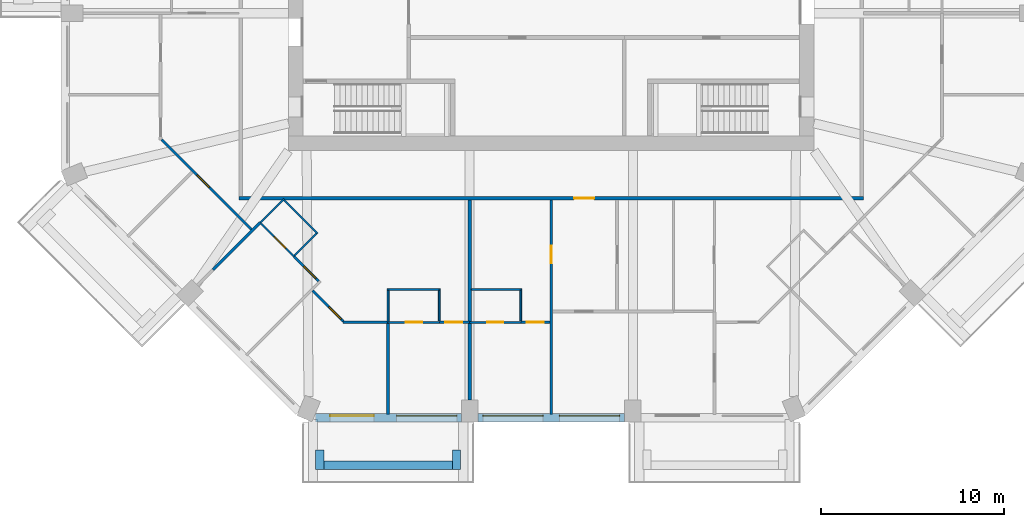
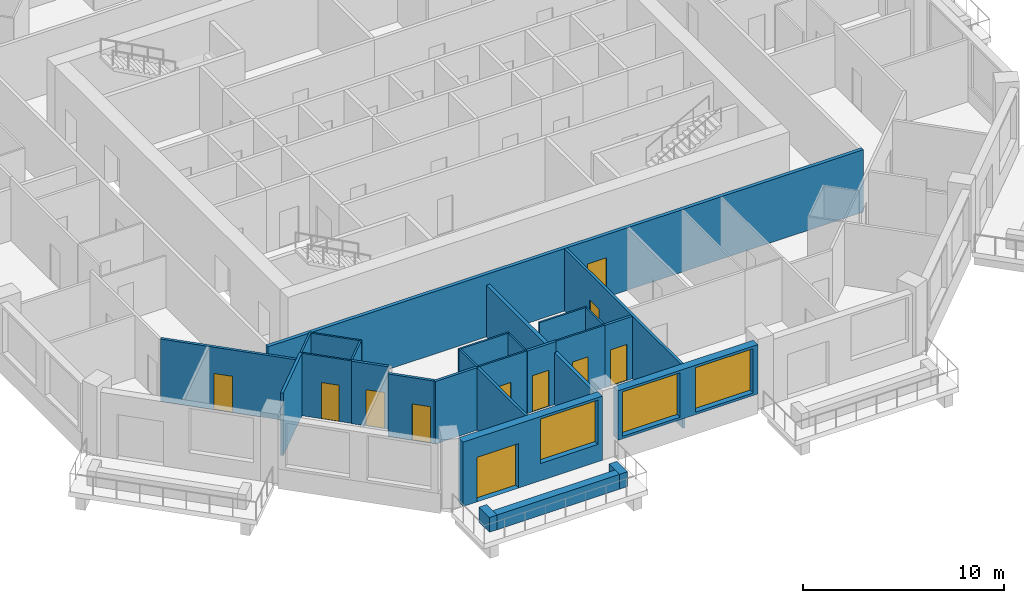
# One storey, part 3 of 13: 27 walls, 11 doors, 3 windows, 14 openings.
"""IFC4 building model written with IfcOpenShell, lengths in metres."""

from ifc_helpers import new_model, si_unit, direction, frame, frame_2d, origin, place, context, subcontext, project, spatial, rectangle, extrude, material, layer, layer_set, type_object, element, fill, save


model = new_model("IFC4")

# Units and contexts
model_context = context("Model", 3, precision=1e-05, world=origin(), true_north=direction((0.0, 1.0)))
body_context = subcontext(model_context, "Body", "Model", "MODEL_VIEW")
ifc_project = project(units=[si_unit("LENGTHUNIT", "METRE"), si_unit("AREAUNIT", "SQUARE_METRE"), si_unit("VOLUMEUNIT", "CUBIC_METRE"), si_unit("PLANEANGLEUNIT", "RADIAN"), si_unit("MASSUNIT", "GRAM", prefix="KILO")], contexts=[model_context])

# Site, building, storey
site_placement = place(None, origin())
site = spatial("IfcSite", under=ifc_project, at=site_placement, CompositionType="ELEMENT")
building_placement = place(site_placement, origin())
building = spatial("IfcBuilding", under=site, at=building_placement, Name="Msitu Wima Residences", CompositionType="ELEMENT")
storey_placement = place(building_placement, frame((0.0, 0.0, 152.699951171875)))
storey = spatial("IfcBuildingStorey", under=building, at=storey_placement, Name="L35", CompositionType="ELEMENT", Elevation=152.699951171875)

# Walls
ifc_material_1 = material(Name="Facing brick")
ifc_layer_1 = layer(ifc_material_1, 0.06494140625, Name="Facing brick")
ifc_material_2 = material(Name="Concrete C40/50", Category="concrete")
ifc_layer_2 = layer(ifc_material_2, 0.156005859375, Name="Concrete C40/50")
ifc_material_3 = material(Name="Waterproofing membrane")
ifc_layer_3 = layer(ifc_material_3, 0.00390625, Name="Waterproofing membrane")
ifc_material_4 = material(Name="Planting soil and planting")
ifc_layer_4 = layer(ifc_material_4, 0.22509765625, Name="Planting soil and planting")
ifc_layer_set_1 = layer_set([ifc_layer_1, ifc_layer_2, ifc_layer_3, ifc_layer_4], Name="Concrete C40/50")
wall_type_1 = type_object("IfcWallType", Name="Balcony planter PLANTER PL450", PredefinedType="USERDEFINED", material=ifc_layer_set_1)
wall_1_placement = place(storey_placement, frame((-12.455810546875, -29.22509765625, 0.0), z_axis=(0.0, 0.0, 1.0), x_axis=(1.0, 0.0, 0.0)))
element("IfcWall", 1, at=wall_1_placement, inside=storey, type_object=wall_type_1, Name="Balcony planter S0 L35", ObjectType="PLANTER", PredefinedType="USERDEFINED", context=body_context, shape_type="SweptSolid", body=[
    extrude(rectangle(XDim=7.037109375, YDim=0.449951171875, at=frame_2d((3.5185546875, 0.0))), origin(), (0.0, 0.0, 1.0), 0.900146484375),
])
for number, where, z_axis, x_axis, name in (
    (2, (-12.680908203125, -28.39990234375, 0.0), (0.0, 0.0, 1.0), (0.0, -1.0, 0.0), "Balcony planter S0 L35"),
    (3, (-5.193603515625, -28.39990234375, 0.0), (0.0, 0.0, 1.0), (0.0, -1.0, 0.0), "Balcony planter S0 L35"),
):
    element("IfcWall", number, at=place(storey_placement, frame(where, z_axis=z_axis, x_axis=x_axis)), inside=storey, type_object=wall_type_1, Name=name, ObjectType="PLANTER", PredefinedType="USERDEFINED", context=body_context, shape_type="SweptSolid", body=[
        extrude(rectangle(XDim=1.050048828125, YDim=0.449951171875, at=frame_2d((0.52490234375, 0.0))), origin(), (0.0, 0.0, 1.0), 0.900146484375),
    ])

# Wall, openings, door, window
ifc_material_5 = material(Name="Brick (red buff mix)", Category="masonry")
ifc_layer_5 = layer(ifc_material_5, 0.449951171875)
ifc_layer_set_2 = layer_set([ifc_layer_5], Name="Brick (red buff mix)")
wall_type_2 = type_object("IfcWallType", Name="Brick infill wall BW450", PredefinedType="SOLIDWALL", material=ifc_layer_set_2)
wall_2_placement = place(storey_placement, frame((-12.918701171875, -26.625, 0.0), z_axis=(0.0, 0.0, 1.0), x_axis=(1.0, 0.0, 0.0)))
wall_2 = element("IfcWall", 4, at=wall_2_placement, inside=storey, type_object=wall_type_2, Name="Brick infill wall L35 S0", PredefinedType="SOLIDWALL", context=body_context, shape_type="SweptSolid", body=[
    extrude(rectangle(XDim=8.0, YDim=0.449951171875, at=frame_2d((4.0, 0.0))), origin(), (0.0, 0.0, 1.0), 3.900146484375),
])
opening_1_placement = place(wall_2_placement, frame((0.800048828125, 0.0, 0.0)))
opening_1 = element("IfcOpeningElement", 5, at=opening_1_placement, cuts=wall_2, Name="Opening D34-35.006", PredefinedType="OPENING", context=body_context, shape_type="SweptSolid", body=[
    extrude(rectangle(XDim=2.39990234375, YDim=2.699951171875, at=frame_2d((1.199951171875, 1.35009765625))), frame((0.0, 0.23486328125, 0.0), z_axis=(0.0, -1.0, 0.0), x_axis=(1.0, 0.0, 0.0)), (0.0, 0.0, 1.0), 0.469970703125),
])
opening_2_placement = place(wall_2_placement, frame((4.4501953125, 0.0, 1.050048828125)))
opening_2 = element("IfcOpeningElement", 6, at=opening_2_placement, cuts=wall_2, Name="Opening W34-35.016", PredefinedType="OPENING", context=body_context, shape_type="SweptSolid", body=[
    extrude(rectangle(XDim=3.300048828125, YDim=2.699951171875, at=frame_2d((1.64990234375, 1.35009765625))), frame((0.0, 0.23486328125, 0.0), z_axis=(0.0, -1.0, 0.0), x_axis=(1.0, 0.0, 0.0)), (0.0, 0.0, 1.0), 0.469970703125),
])
ifc_material_6 = material(Name="Anodised aluminium, bronze finish, clear low-emissivity double glazing", Category="aluminium")
door_type_1 = type_object("IfcDoorType", Name="Balcony door D2400x2700", OperationType="SLIDING_TO_LEFT", PredefinedType="DOOR", material=ifc_material_6)
door_1_placement = place(opening_1_placement, origin())
door_1 = element("IfcDoor", 7, at=door_1_placement, inside=storey, type_object=door_type_1, Name="Balcony door L35 S0", OperationType="SINGLE_SWING_LEFT", OverallHeight=2.699951171875, OverallWidth=2.39990234375, PredefinedType="DOOR", context=body_context, shape_type="SweptSolid", body=[
    extrude(rectangle(XDim=2.39990234375, YDim=2.699951171875, at=frame_2d((1.199951171875, 1.35009765625))), frame((0.0, 0.1298828125, 0.0), z_axis=(0.0, -1.0, 0.0), x_axis=(1.0, 0.0, 0.0)), (0.0, 0.0, 1.0), 0.050048828125),
])
fill(opening_1, door_1)
window_type = type_object("IfcWindowType", Name="Window W3300x2700", PartitioningType="DOUBLE_PANEL_VERTICAL", PredefinedType="WINDOW", material=ifc_material_6)
window_1_placement = place(opening_2_placement, origin())
window_1 = element("IfcWindow", 8, at=window_1_placement, inside=storey, type_object=window_type, Name="Window L35 S0.2", OverallHeight=2.699951171875, OverallWidth=3.300048828125, PartitioningType="SINGLE_PANEL", PredefinedType="WINDOW", context=body_context, shape_type="SweptSolid", body=[
    extrude(rectangle(XDim=3.300048828125, YDim=2.699951171875, at=frame_2d((1.64990234375, 1.35009765625))), frame((0.0, 0.135009765625, 0.0), z_axis=(0.0, -1.0, 0.0), x_axis=(1.0, 0.0, 0.0)), (0.0, 0.0, 1.0), 0.06005859375),
])
fill(opening_2, window_1)

# Wall, openings, windows
wall_3_placement = place(storey_placement, frame((-4.0185546875, -26.625, 0.900146484375), z_axis=(0.0, 0.0, 1.0), x_axis=(1.0, 0.0, 0.0)))
wall_3 = element("IfcWall", 9, at=wall_3_placement, inside=storey, type_object=wall_type_2, Name="Brick infill wall L35 S1", PredefinedType="SOLIDWALL", context=body_context, shape_type="SweptSolid", body=[
    extrude(rectangle(XDim=8.037109375, YDim=0.449951171875, at=frame_2d((4.0185546875, 0.0))), origin(), (0.0, 0.0, 1.0), 3.0),
])
opening_3_placement = place(wall_3_placement, frame((0.2685546875, 0.0, 0.14990234375)))
opening_3 = element("IfcOpeningElement", 10, at=opening_3_placement, cuts=wall_3, Name="Opening W34-35.017", PredefinedType="OPENING", context=body_context, shape_type="SweptSolid", body=[
    extrude(rectangle(XDim=3.300048828125, YDim=2.699951171875, at=frame_2d((1.64990234375, 1.35009765625))), frame((0.0, 0.23486328125, 0.0), z_axis=(0.0, -1.0, 0.0), x_axis=(1.0, 0.0, 0.0)), (0.0, 0.0, 1.0), 0.469970703125),
])
opening_4_placement = place(wall_3_placement, frame((4.46875, 0.0, 0.14990234375)))
opening_4 = element("IfcOpeningElement", 11, at=opening_4_placement, cuts=wall_3, Name="Opening W34-35.018", PredefinedType="OPENING", context=body_context, shape_type="SweptSolid", body=[
    extrude(rectangle(XDim=3.300048828125, YDim=2.699951171875, at=frame_2d((1.64990234375, 1.35009765625))), frame((0.0, 0.23486328125, 0.0), z_axis=(0.0, -1.0, 0.0), x_axis=(1.0, 0.0, 0.0)), (0.0, 0.0, 1.0), 0.469970703125),
])
window_2_placement = place(opening_3_placement, origin())
window_2 = element("IfcWindow", 12, at=window_2_placement, inside=storey, type_object=window_type, Name="Window L35 S1.1", OverallHeight=2.699951171875, OverallWidth=3.300048828125, PartitioningType="SINGLE_PANEL", PredefinedType="WINDOW", context=body_context, shape_type="SweptSolid", body=[
    extrude(rectangle(XDim=3.300048828125, YDim=2.699951171875, at=frame_2d((1.64990234375, 1.35009765625))), frame((0.0, 0.135009765625, 0.0), z_axis=(0.0, -1.0, 0.0), x_axis=(1.0, 0.0, 0.0)), (0.0, 0.0, 1.0), 0.06005859375),
])
fill(opening_3, window_2)
window_3_placement = place(opening_4_placement, origin())
window_3 = element("IfcWindow", 13, at=window_3_placement, inside=storey, type_object=window_type, Name="Window L35 S1.2", OverallHeight=2.699951171875, OverallWidth=3.300048828125, PartitioningType="SINGLE_PANEL", PredefinedType="WINDOW", context=body_context, shape_type="SweptSolid", body=[
    extrude(rectangle(XDim=3.300048828125, YDim=2.699951171875, at=frame_2d((1.64990234375, 1.35009765625))), frame((0.0, 0.135009765625, 0.0), z_axis=(0.0, -1.0, 0.0), x_axis=(1.0, 0.0, 0.0)), (0.0, 0.0, 1.0), 0.06005859375),
])
fill(opening_4, window_3)

# Wall, opening, door
ifc_material_7 = material(Name="Plaster")
ifc_layer_6 = layer(ifc_material_7, 0.011962890625, Name="Plaster")
ifc_material_8 = material(Name="Concrete blockwork", Category="masonry")
ifc_layer_7 = layer(ifc_material_8, 0.176025390625, Name="Concrete blockwork")
ifc_layer_8 = layer(ifc_material_7, 0.011962890625, Name="Plaster")
ifc_layer_set_3 = layer_set([ifc_layer_6, ifc_layer_7, ifc_layer_8], Name="Concrete blockwork")
wall_type_3 = type_object("IfcWallType", Name="Corridor wall FW200", PredefinedType="PARTITIONING", material=ifc_layer_set_3)
wall_4_placement = place(storey_placement, frame((-17.10009765625, -14.60009765625, 0.0), z_axis=(0.0, 0.0, 1.0), x_axis=(1.0, 0.0, 0.0)))
wall_4 = element("IfcWall", 14, at=wall_4_placement, inside=storey, type_object=wall_type_3, Name="Corridor wall", PredefinedType="PARTITIONING", context=body_context, shape_type="SweptSolid", body=[
    extrude(rectangle(XDim=34.2001953125, YDim=0.199951171875, at=frame_2d((17.10009765625, 0.0))), origin(), (0.0, 0.0, 1.0), 3.798095703125),
])
opening_5_placement = place(wall_4_placement, frame((18.35009765625, 0.0, 0.0)))
opening_5 = element("IfcOpeningElement", 15, at=opening_5_placement, cuts=wall_4, Name="Opening D34-35.014", PredefinedType="OPENING", context=body_context, shape_type="SweptSolid", body=[
    extrude(rectangle(XDim=1.10009765625, YDim=2.39990234375, at=frame_2d((0.550048828125, 1.199951171875))), frame((0.0, 0.10986328125, 0.0), z_axis=(0.0, -1.0, 0.0), x_axis=(1.0, 0.0, 0.0)), (0.0, 0.0, 1.0), 0.219970703125),
])
ifc_material_9 = material(Name="Timber flush door, fire resisting, self-closing", Category="wood")
door_type_2 = type_object("IfcDoorType", Name="Flat entrance door D01 1100x2400", OperationType="SINGLE_SWING_LEFT", PredefinedType="DOOR", material=ifc_material_9)
door_2_placement = place(opening_5_placement, origin())
door_2 = element("IfcDoor", 16, at=door_2_placement, inside=storey, type_object=door_type_2, Name="Flat entrance door", OperationType="SINGLE_SWING_LEFT", OverallHeight=2.39990234375, OverallWidth=1.10009765625, PredefinedType="DOOR", context=body_context, shape_type="SweptSolid", body=[
    extrude(rectangle(XDim=1.10009765625, YDim=2.39990234375, at=frame_2d((0.550048828125, 1.199951171875))), frame((0.0, 0.02490234375, 0.0), z_axis=(0.0, -1.0, 0.0), x_axis=(1.0, 0.0, 0.0)), (0.0, 0.0, 1.0), 0.050048828125),
])
fill(opening_5, door_2)

ifc_layer_9 = layer(ifc_material_7, 0.011962890625, Name="Plaster")
ifc_layer_10 = layer(ifc_material_8, 0.1259765625, Name="Concrete blockwork")
ifc_layer_11 = layer(ifc_material_7, 0.011962890625, Name="Plaster")
ifc_layer_set_4 = layer_set([ifc_layer_9, ifc_layer_10, ifc_layer_11], Name="Concrete blockwork")
wall_type_4 = type_object("IfcWallType", Name="Partition PW150", PredefinedType="PARTITIONING", material=ifc_layer_set_4)
wall_5_placement = place(storey_placement, frame((-21.346923828125, -11.387939453125, 0.0), z_axis=(0.0, 0.0, 1.0), x_axis=(0.707106781187, -0.707106781187, 0.0)))
wall_5 = element("IfcWall", 17, at=wall_5_placement, inside=storey, type_object=wall_type_4, Name="Partition", PredefinedType="PARTITIONING", context=body_context, shape_type="SweptSolid", body=[
    extrude(rectangle(XDim=6.967041015625, YDim=0.14990234375, at=frame_2d((3.4833984375, 0.0))), origin(), (0.0, 0.0, 1.0), 3.798095703125),
])
opening_6_placement = place(wall_5_placement, frame((2.75, 0.0, 0.0)))
opening_6 = element("IfcOpeningElement", 18, at=opening_6_placement, cuts=wall_5, Name="Opening D34-35.064", PredefinedType="OPENING", context=body_context, shape_type="SweptSolid", body=[
    extrude(rectangle(XDim=0.949951171875, YDim=2.199951171875, at=frame_2d((0.47509765625, 1.10009765625))), frame((0.0, 0.0849609375, 0.0), z_axis=(0.0, -1.0, 0.0), x_axis=(1.0, 0.0, 0.0)), (0.0, 0.0, 1.0), 0.169921875),
])
ifc_material_10 = material(Name="Timber flush door", Category="wood")
door_type_3 = type_object("IfcDoorType", Name="Room door D12 950x2200", OperationType="SINGLE_SWING_LEFT", PredefinedType="DOOR", material=ifc_material_10)
door_3_placement = place(opening_6_placement, origin())
door_3 = element("IfcDoor", 19, at=door_3_placement, inside=storey, type_object=door_type_3, Name="Room door", OperationType="SINGLE_SWING_RIGHT", OverallHeight=2.199951171875, OverallWidth=0.949951171875, PredefinedType="DOOR", context=body_context, shape_type="SweptSolid", body=[
    extrude(rectangle(XDim=0.949951171875, YDim=2.199951171875, at=frame_2d((0.47509765625, 1.10009765625))), frame((0.0, 0.02490234375, 0.0), z_axis=(0.0, -1.0, 0.0), x_axis=(1.0, 0.0, 0.0)), (0.0, 0.0, 1.0), 0.050048828125),
])
fill(opening_6, door_3)

# Wall
wall_6_placement = place(storey_placement, frame((-18.517578125, -18.517578125, 0.0), z_axis=(0.0, 0.0, 1.0), x_axis=(0.707106781187, 0.707106781187, 0.0)))
element("IfcWall", 20, at=wall_6_placement, inside=storey, type_object=wall_type_4, Name="Partition", PredefinedType="PARTITIONING", context=body_context, shape_type="SweptSolid", body=[
    extrude(rectangle(XDim=3.660888671875, YDim=0.14990234375, at=frame_2d((1.83056640625, 0.0))), origin(), (0.0, 0.0, 1.0), 3.798095703125),
])

# Wall, opening, door
wall_7_placement = place(storey_placement, frame((-14.090576171875, -17.795654296875, 0.0), z_axis=(0.0, 0.0, 1.0), x_axis=(0.707106781187, -0.707106781187, 0.0)))
wall_7 = element("IfcWall", 21, at=wall_7_placement, inside=storey, type_object=wall_type_4, Name="Partition", PredefinedType="PARTITIONING", context=body_context, shape_type="SweptSolid", body=[
    extrude(rectangle(XDim=1.8994140625, YDim=0.14990234375, at=frame_2d((0.94970703125, 0.0))), origin(), (0.0, 0.0, 1.0), 3.798095703125),
])
opening_7_placement = place(wall_7_placement, frame((0.75, 0.0, 0.0)))
opening_7 = element("IfcOpeningElement", 22, at=opening_7_placement, cuts=wall_7, Name="Opening D34-35.067", PredefinedType="OPENING", context=body_context, shape_type="SweptSolid", body=[
    extrude(rectangle(XDim=0.949951171875, YDim=2.199951171875, at=frame_2d((0.47509765625, 1.10009765625))), frame((0.0, 0.0849609375, 0.0), z_axis=(0.0, -1.0, 0.0), x_axis=(1.0, 0.0, 0.0)), (0.0, 0.0, 1.0), 0.169921875),
])
door_4_placement = place(opening_7_placement, origin())
door_4 = element("IfcDoor", 23, at=door_4_placement, inside=storey, type_object=door_type_3, Name="Room door", OperationType="SINGLE_SWING_LEFT", OverallHeight=2.199951171875, OverallWidth=0.949951171875, PredefinedType="DOOR", context=body_context, shape_type="SweptSolid", body=[
    extrude(rectangle(XDim=0.949951171875, YDim=2.199951171875, at=frame_2d((0.47509765625, 1.10009765625))), frame((0.0, 0.02490234375, 0.0), z_axis=(0.0, -1.0, 0.0), x_axis=(1.0, 0.0, 0.0)), (0.0, 0.0, 1.0), 0.050048828125),
])
fill(opening_7, door_4)

wall_8_placement = place(storey_placement, frame((-13.06591796875, -19.6689453125, 0.0), z_axis=(0.0, 0.0, 1.0), x_axis=(0.707106781187, -0.707106781187, 0.0)))
wall_8 = element("IfcWall", 24, at=wall_8_placement, inside=storey, type_object=wall_type_4, Name="Partition", PredefinedType="PARTITIONING", context=body_context, shape_type="SweptSolid", body=[
    extrude(rectangle(XDim=2.373046875, YDim=0.14990234375, at=frame_2d((1.1865234375, 0.0))), origin(), (0.0, 0.0, 1.0), 3.798095703125),
])
opening_8_placement = place(wall_8_placement, frame((1.25, 0.0, 0.0)))
opening_8 = element("IfcOpeningElement", 25, at=opening_8_placement, cuts=wall_8, Name="Opening D34-35.069", PredefinedType="OPENING", context=body_context, shape_type="SweptSolid", body=[
    extrude(rectangle(XDim=0.949951171875, YDim=2.199951171875, at=frame_2d((0.47509765625, 1.10009765625))), frame((0.0, 0.0849609375, 0.0), z_axis=(0.0, -1.0, 0.0), x_axis=(1.0, 0.0, 0.0)), (0.0, 0.0, 1.0), 0.169921875),
])
door_5_placement = place(opening_8_placement, origin())
door_5 = element("IfcDoor", 26, at=door_5_placement, inside=storey, type_object=door_type_3, Name="Room door", OperationType="SINGLE_SWING_RIGHT", OverallHeight=2.199951171875, OverallWidth=0.949951171875, PredefinedType="DOOR", context=body_context, shape_type="SweptSolid", body=[
    extrude(rectangle(XDim=0.949951171875, YDim=2.199951171875, at=frame_2d((0.47509765625, 1.10009765625))), frame((0.0, 0.02490234375, 0.0), z_axis=(0.0, -1.0, 0.0), x_axis=(1.0, 0.0, 0.0)), (0.0, 0.0, 1.0), 0.050048828125),
])
fill(opening_8, door_5)

# Walls
wall_9_placement = place(storey_placement, frame((-11.409912109375, -21.39990234375, 0.0), z_axis=(0.0, 0.0, 1.0), x_axis=(1.0, 0.0, 0.0)))
element("IfcWall", 27, at=wall_9_placement, inside=storey, type_object=wall_type_4, Name="Partition", PredefinedType="PARTITIONING", context=body_context, shape_type="SweptSolid", body=[
    extrude(rectangle(XDim=2.45263671875, YDim=0.14990234375, at=frame_2d((1.226318359375, 0.0))), origin(), (0.0, 0.0, 1.0), 3.798095703125),
])
wall_10_placement = place(storey_placement, frame((-8.937255859375, -26.455078125, 0.0), z_axis=(0.0, 0.0, 1.0), x_axis=(0.0, 1.0, 0.0)))
element("IfcWall", 28, at=wall_10_placement, inside=storey, type_object=wall_type_4, Name="Partition", PredefinedType="PARTITIONING", context=body_context, shape_type="SweptSolid", body=[
    extrude(rectangle(XDim=5.0751953125, YDim=0.14990234375, at=frame_2d((2.53759765625, 0.0))), origin(), (0.0, 0.0, 1.0), 3.798095703125),
])

# Wall, opening, door
wall_11_placement = place(storey_placement, frame((-6.1171875, -21.39990234375, 0.0), z_axis=(0.0, 0.0, 1.0), x_axis=(1.0, 0.0, 0.0)))
wall_11 = element("IfcWall", 29, at=wall_11_placement, inside=storey, type_object=wall_type_4, Name="Partition", PredefinedType="PARTITIONING", context=body_context, shape_type="SweptSolid", body=[
    extrude(rectangle(XDim=1.6484375, YDim=0.14990234375, at=frame_2d((0.82421875, 0.0))), origin(), (0.0, 0.0, 1.0), 3.798095703125),
])
opening_9_placement = place(wall_11_placement, frame((0.300048828125, 0.0, 0.0)))
opening_9 = element("IfcOpeningElement", 30, at=opening_9_placement, cuts=wall_11, Name="Opening D34-35.065", PredefinedType="OPENING", context=body_context, shape_type="SweptSolid", body=[
    extrude(rectangle(XDim=0.949951171875, YDim=2.199951171875, at=frame_2d((0.47509765625, 1.10009765625))), frame((0.0, 0.0849609375, 0.0), z_axis=(0.0, -1.0, 0.0), x_axis=(1.0, 0.0, 0.0)), (0.0, 0.0, 1.0), 0.169921875),
])
door_6_placement = place(opening_9_placement, origin())
door_6 = element("IfcDoor", 31, at=door_6_placement, inside=storey, type_object=door_type_3, Name="Room door", OperationType="SINGLE_SWING_LEFT", OverallHeight=2.199951171875, OverallWidth=0.949951171875, PredefinedType="DOOR", context=body_context, shape_type="SweptSolid", body=[
    extrude(rectangle(XDim=0.949951171875, YDim=2.199951171875, at=frame_2d((0.47509765625, 1.10009765625))), frame((0.0, 0.02490234375, 0.0), z_axis=(0.0, -1.0, 0.0), x_axis=(1.0, 0.0, 0.0)), (0.0, 0.0, 1.0), 0.050048828125),
])
fill(opening_9, door_6)

wall_12_placement = place(storey_placement, frame((-1.648681640625, -21.39990234375, 0.0), z_axis=(0.0, 0.0, 1.0), x_axis=(1.0, 0.0, 0.0)))
wall_12 = element("IfcWall", 32, at=wall_12_placement, inside=storey, type_object=wall_type_4, Name="Partition", PredefinedType="PARTITIONING", context=body_context, shape_type="SweptSolid", body=[
    extrude(rectangle(XDim=1.57373046875, YDim=0.14990234375, at=frame_2d((0.786865234375, 0.0))), origin(), (0.0, 0.0, 1.0), 3.798095703125),
])
opening_10_placement = place(wall_12_placement, frame((0.300048828125, 0.0, 0.0)))
opening_10 = element("IfcOpeningElement", 33, at=opening_10_placement, cuts=wall_12, Name="Opening D34-35.074", PredefinedType="OPENING", context=body_context, shape_type="SweptSolid", body=[
    extrude(rectangle(XDim=0.949951171875, YDim=2.199951171875, at=frame_2d((0.47509765625, 1.10009765625))), frame((0.0, 0.0849609375, 0.0), z_axis=(0.0, -1.0, 0.0), x_axis=(1.0, 0.0, 0.0)), (0.0, 0.0, 1.0), 0.169921875),
])
door_7_placement = place(opening_10_placement, origin())
door_7 = element("IfcDoor", 34, at=door_7_placement, inside=storey, type_object=door_type_3, Name="Room door", OperationType="SINGLE_SWING_LEFT", OverallHeight=2.199951171875, OverallWidth=0.949951171875, PredefinedType="DOOR", context=body_context, shape_type="SweptSolid", body=[
    extrude(rectangle(XDim=0.949951171875, YDim=2.199951171875, at=frame_2d((0.47509765625, 1.10009765625))), frame((0.0, 0.02490234375, 0.0), z_axis=(0.0, -1.0, 0.0), x_axis=(1.0, 0.0, 0.0)), (0.0, 0.0, 1.0), 0.050048828125),
])
fill(opening_10, door_7)

wall_13_placement = place(storey_placement, frame((0.0, -26.455078125, 0.0), z_axis=(0.0, 0.0, 1.0), x_axis=(0.0, 1.0, 0.0)))
wall_13 = element("IfcWall", 35, at=wall_13_placement, inside=storey, type_object=wall_type_4, Name="Partition", PredefinedType="PARTITIONING", context=body_context, shape_type="SweptSolid", body=[
    extrude(rectangle(XDim=11.755126953125, YDim=0.14990234375, at=frame_2d((5.87744140625, 0.0))), origin(), (0.0, 0.0, 1.0), 3.798095703125),
])
opening_11_placement = place(wall_13_placement, frame((8.300048828125, 0.0, 0.0)))
opening_11 = element("IfcOpeningElement", 36, at=opening_11_placement, cuts=wall_13, Name="Opening D34-35.071", PredefinedType="OPENING", context=body_context, shape_type="SweptSolid", body=[
    extrude(rectangle(XDim=0.949951171875, YDim=2.199951171875, at=frame_2d((0.47509765625, 1.10009765625))), frame((0.0, 0.0849609375, 0.0), z_axis=(0.0, -1.0, 0.0), x_axis=(1.0, 0.0, 0.0)), (0.0, 0.0, 1.0), 0.169921875),
])
door_8_placement = place(opening_11_placement, origin())
door_8 = element("IfcDoor", 37, at=door_8_placement, inside=storey, type_object=door_type_3, Name="Room door", OperationType="SINGLE_SWING_RIGHT", OverallHeight=2.199951171875, OverallWidth=0.949951171875, PredefinedType="DOOR", context=body_context, shape_type="SweptSolid", body=[
    extrude(rectangle(XDim=0.949951171875, YDim=2.199951171875, at=frame_2d((0.47509765625, 1.10009765625))), frame((0.0, 0.02490234375, 0.0), z_axis=(0.0, -1.0, 0.0), x_axis=(1.0, 0.0, 0.0)), (0.0, 0.0, 1.0), 0.050048828125),
])
fill(opening_11, door_8)

# Walls
ifc_layer_12 = layer(ifc_material_7, 0.011962890625, Name="Plaster")
ifc_material_11 = material(Name="Dense concrete blockwork", Category="masonry")
ifc_layer_13 = layer(ifc_material_11, 0.176025390625, Name="Dense concrete blockwork")
ifc_layer_14 = layer(ifc_material_7, 0.011962890625, Name="Plaster")
ifc_layer_set_5 = layer_set([ifc_layer_12, ifc_layer_13, ifc_layer_14], Name="Dense concrete blockwork")
wall_type_5 = type_object("IfcWallType", Name="Party wall PW200", PredefinedType="PARTITIONING", material=ifc_layer_set_5)
wall_14_placement = place(storey_placement, frame((-4.46875, -25.64990234375, 0.0), z_axis=(0.0, 0.0, 1.0), x_axis=(0.0, 1.0, 0.0)))
element("IfcWall", 38, at=wall_14_placement, inside=storey, type_object=wall_type_5, Name="Party wall", PredefinedType="PARTITIONING", context=body_context, shape_type="SweptSolid", body=[
    extrude(rectangle(XDim=10.949951171875, YDim=0.199951171875, at=frame_2d((5.47509765625, 0.0))), origin(), (0.0, 0.0, 1.0), 3.150146484375),
])
ifc_material_12 = material(Name="Ceramic tiles")
ifc_layer_15 = layer(ifc_material_12, 0.008056640625, Name="Ceramic tiles")
ifc_material_13 = material(Name="Moisture-resistant board")
ifc_layer_16 = layer(ifc_material_13, 0.012451171875, Name="Moisture-resistant board")
ifc_material_14 = material(Name="Light-gauge stud framing with mineral wool")
ifc_layer_17 = layer(ifc_material_14, 0.06689453125, Name="Light-gauge stud framing with mineral wool")
ifc_layer_18 = layer(ifc_material_13, 0.012451171875, Name="Moisture-resistant board")
ifc_layer_set_6 = layer_set([ifc_layer_15, ifc_layer_16, ifc_layer_17, ifc_layer_18], Name="Light-gauge stud framing with mineral wool")
wall_type_6 = type_object("IfcWallType", Name="Wet wall PW100", PredefinedType="PARTITIONING", material=ifc_layer_set_6)
wall_15_placement = place(storey_placement, frame((-15.928955078125, -15.928955078125, 0.0), z_axis=(0.0, 0.0, 1.0), x_axis=(0.707106781187, 0.707106781187, 0.0)))
element("IfcWall", 39, at=wall_15_placement, inside=storey, type_object=wall_type_6, Name="Wet wall", PredefinedType="PARTITIONING", context=body_context, shape_type="SweptSolid", body=[
    extrude(rectangle(XDim=1.829833984375, YDim=0.10009765625, at=frame_2d((0.9150390625, 0.0))), origin(), (0.0, 0.0, 1.0), 3.798095703125),
])

# Wall, opening, door
wall_16_placement = place(storey_placement, frame((-15.89013671875, -15.99609375, 0.0), z_axis=(0.0, 0.0, 1.0), x_axis=(0.707106781187, -0.707106781187, 0.0)))
wall_16 = element("IfcWall", 40, at=wall_16_placement, inside=storey, type_object=wall_type_6, Name="Wet wall", PredefinedType="PARTITIONING", context=body_context, shape_type="SweptSolid", body=[
    extrude(rectangle(XDim=2.544921875, YDim=0.10009765625, at=frame_2d((1.2724609375, 0.0))), origin(), (0.0, 0.0, 1.0), 3.798095703125),
])
opening_12_placement = place(wall_16_placement, frame((1.0, 0.0, 0.0)))
opening_12 = element("IfcOpeningElement", 41, at=opening_12_placement, cuts=wall_16, Name="Opening D34-35.068", PredefinedType="OPENING", context=body_context, shape_type="SweptSolid", body=[
    extrude(rectangle(XDim=0.89990234375, YDim=2.199951171875, at=frame_2d((0.449951171875, 1.10009765625))), frame((0.0, 0.06005859375, 0.0), z_axis=(0.0, -1.0, 0.0), x_axis=(1.0, 0.0, 0.0)), (0.0, 0.0, 1.0), 0.1201171875),
])
ifc_material_15 = material(Name="Timber flush door, moisture resistant", Category="wood")
door_type_4 = type_object("IfcDoorType", Name="Bathroom door D03 900x2200", OperationType="SINGLE_SWING_LEFT", PredefinedType="DOOR", material=ifc_material_15)
door_9_placement = place(opening_12_placement, origin())
door_9 = element("IfcDoor", 42, at=door_9_placement, inside=storey, type_object=door_type_4, Name="Bathroom door", OperationType="SINGLE_SWING_RIGHT", OverallHeight=2.199951171875, OverallWidth=0.89990234375, PredefinedType="DOOR", context=body_context, shape_type="SweptSolid", body=[
    extrude(rectangle(XDim=0.89990234375, YDim=2.199951171875, at=frame_2d((0.449951171875, 1.10009765625))), frame((0.0, 0.02490234375, 0.0), z_axis=(0.0, -1.0, 0.0), x_axis=(1.0, 0.0, 0.0)), (0.0, 0.0, 1.0), 0.050048828125),
])
fill(opening_12, door_9)

# Walls
wall_17_placement = place(storey_placement, frame((-14.635009765625, -14.705810546875, 0.0), z_axis=(0.0, 0.0, 1.0), x_axis=(0.707106781187, -0.707106781187, 0.0)))
element("IfcWall", 43, at=wall_17_placement, inside=storey, type_object=wall_type_6, Name="Wet wall", PredefinedType="PARTITIONING", context=body_context, shape_type="SweptSolid", body=[
    extrude(rectangle(XDim=2.599853515625, YDim=0.10009765625, at=frame_2d((1.2998046875, 0.0))), origin(), (0.0, 0.0, 1.0), 3.798095703125),
])
wall_18_placement = place(storey_placement, frame((-14.0693359375, -17.746337890625, 0.0), z_axis=(0.0, 0.0, 1.0), x_axis=(0.707106781187, 0.707106781187, 0.0)))
element("IfcWall", 44, at=wall_18_placement, inside=storey, type_object=wall_type_6, Name="Wet wall", PredefinedType="PARTITIONING", context=body_context, shape_type="SweptSolid", body=[
    extrude(rectangle(XDim=1.7001953125, YDim=0.10009765625, at=frame_2d((0.85009765625, 0.0))), origin(), (0.0, 0.0, 1.0), 3.798095703125),
])

# Wall, opening, door
wall_19_placement = place(storey_placement, frame((-8.957275390625, -21.39990234375, 0.0), z_axis=(0.0, 0.0, 1.0), x_axis=(1.0, 0.0, 0.0)))
wall_19 = element("IfcWall", 45, at=wall_19_placement, inside=storey, type_object=wall_type_6, Name="Wet wall", PredefinedType="PARTITIONING", context=body_context, shape_type="SweptSolid", body=[
    extrude(rectangle(XDim=2.840087890625, YDim=0.10009765625, at=frame_2d((1.419921875, 0.0))), origin(), (0.0, 0.0, 1.0), 3.798095703125),
])
opening_13_placement = place(wall_19_placement, frame((1.0, 0.0, 0.0)))
opening_13 = element("IfcOpeningElement", 46, at=opening_13_placement, cuts=wall_19, Name="Opening D34-35.066", PredefinedType="OPENING", context=body_context, shape_type="SweptSolid", body=[
    extrude(rectangle(XDim=0.89990234375, YDim=2.199951171875, at=frame_2d((0.449951171875, 1.10009765625))), frame((0.0, 0.06005859375, 0.0), z_axis=(0.0, -1.0, 0.0), x_axis=(1.0, 0.0, 0.0)), (0.0, 0.0, 1.0), 0.1201171875),
])
door_10_placement = place(opening_13_placement, origin())
door_10 = element("IfcDoor", 47, at=door_10_placement, inside=storey, type_object=door_type_4, Name="Bathroom door", OperationType="SINGLE_SWING_RIGHT", OverallHeight=2.199951171875, OverallWidth=0.89990234375, PredefinedType="DOOR", context=body_context, shape_type="SweptSolid", body=[
    extrude(rectangle(XDim=0.89990234375, YDim=2.199951171875, at=frame_2d((0.449951171875, 1.10009765625))), frame((0.0, 0.02490234375, 0.0), z_axis=(0.0, -1.0, 0.0), x_axis=(1.0, 0.0, 0.0)), (0.0, 0.0, 1.0), 0.050048828125),
])
fill(opening_13, door_10)

# Walls
wall_20_placement = place(storey_placement, frame((-8.937255859375, -21.3798828125, 0.0), z_axis=(0.0, 0.0, 1.0), x_axis=(0.0, 1.0, 0.0)))
element("IfcWall", 48, at=wall_20_placement, inside=storey, type_object=wall_type_6, Name="Wet wall", PredefinedType="PARTITIONING", context=body_context, shape_type="SweptSolid", body=[
    extrude(rectangle(XDim=1.72998046875, YDim=0.10009765625, at=frame_2d((0.864990234375, 0.0))), origin(), (0.0, 0.0, 1.0), 3.798095703125),
])
wall_21_placement = place(storey_placement, frame((-8.9873046875, -19.60009765625, 0.0), z_axis=(0.0, 0.0, 1.0), x_axis=(1.0, 0.0, 0.0)))
element("IfcWall", 49, at=wall_21_placement, inside=storey, type_object=wall_type_6, Name="Wet wall", PredefinedType="PARTITIONING", context=body_context, shape_type="SweptSolid", body=[
    extrude(rectangle(XDim=2.900146484375, YDim=0.10009765625, at=frame_2d((1.4501953125, 0.0))), origin(), (0.0, 0.0, 1.0), 3.798095703125),
])
wall_22_placement = place(storey_placement, frame((-6.13720703125, -21.324951171875, 0.0), z_axis=(0.0, 0.0, 1.0), x_axis=(0.0, 1.0, 0.0)))
element("IfcWall", 50, at=wall_22_placement, inside=storey, type_object=wall_type_6, Name="Wet wall", PredefinedType="PARTITIONING", context=body_context, shape_type="SweptSolid", body=[
    extrude(rectangle(XDim=1.675048828125, YDim=0.10009765625, at=frame_2d((0.83740234375, 0.0))), origin(), (0.0, 0.0, 1.0), 3.798095703125),
])

# Wall, opening, door
wall_23_placement = place(storey_placement, frame((-4.46875, -21.39990234375, 0.0), z_axis=(0.0, 0.0, 1.0), x_axis=(1.0, 0.0, 0.0)))
wall_23 = element("IfcWall", 51, at=wall_23_placement, inside=storey, type_object=wall_type_6, Name="Wet wall", PredefinedType="PARTITIONING", context=body_context, shape_type="SweptSolid", body=[
    extrude(rectangle(XDim=2.820068359375, YDim=0.10009765625, at=frame_2d((1.41015625, 0.0))), origin(), (0.0, 0.0, 1.0), 3.798095703125),
])
opening_14_placement = place(wall_23_placement, frame((0.949951171875, 0.0, 0.0)))
opening_14 = element("IfcOpeningElement", 52, at=opening_14_placement, cuts=wall_23, Name="Opening D34-35.075", PredefinedType="OPENING", context=body_context, shape_type="SweptSolid", body=[
    extrude(rectangle(XDim=0.89990234375, YDim=2.199951171875, at=frame_2d((0.449951171875, 1.10009765625))), frame((0.0, 0.06005859375, 0.0), z_axis=(0.0, -1.0, 0.0), x_axis=(1.0, 0.0, 0.0)), (0.0, 0.0, 1.0), 0.1201171875),
])
door_11_placement = place(opening_14_placement, origin())
door_11 = element("IfcDoor", 53, at=door_11_placement, inside=storey, type_object=door_type_4, Name="Bathroom door", OperationType="SINGLE_SWING_LEFT", OverallHeight=2.199951171875, OverallWidth=0.89990234375, PredefinedType="DOOR", context=body_context, shape_type="SweptSolid", body=[
    extrude(rectangle(XDim=0.89990234375, YDim=2.199951171875, at=frame_2d((0.449951171875, 1.10009765625))), frame((0.0, 0.02490234375, 0.0), z_axis=(0.0, -1.0, 0.0), x_axis=(1.0, 0.0, 0.0)), (0.0, 0.0, 1.0), 0.050048828125),
])
fill(opening_14, door_11)

# Walls
wall_24_placement = place(storey_placement, frame((-4.36865234375, -19.60009765625, 0.0), z_axis=(0.0, 0.0, 1.0), x_axis=(1.0, 0.0, 0.0)))
element("IfcWall", 54, at=wall_24_placement, inside=storey, type_object=wall_type_6, Name="Wet wall", PredefinedType="PARTITIONING", context=body_context, shape_type="SweptSolid", body=[
    extrude(rectangle(XDim=2.75, YDim=0.10009765625, at=frame_2d((1.375, 0.0))), origin(), (0.0, 0.0, 1.0), 3.798095703125),
])
wall_25_placement = place(storey_placement, frame((-1.668701171875, -21.324951171875, 0.0), z_axis=(0.0, 0.0, 1.0), x_axis=(0.0, 1.0, 0.0)))
element("IfcWall", 55, at=wall_25_placement, inside=storey, type_object=wall_type_6, Name="Wet wall", PredefinedType="PARTITIONING", context=body_context, shape_type="SweptSolid", body=[
    extrude(rectangle(XDim=1.675048828125, YDim=0.10009765625, at=frame_2d((0.83740234375, 0.0))), origin(), (0.0, 0.0, 1.0), 3.798095703125),
])

save(model, "model.ifc")
